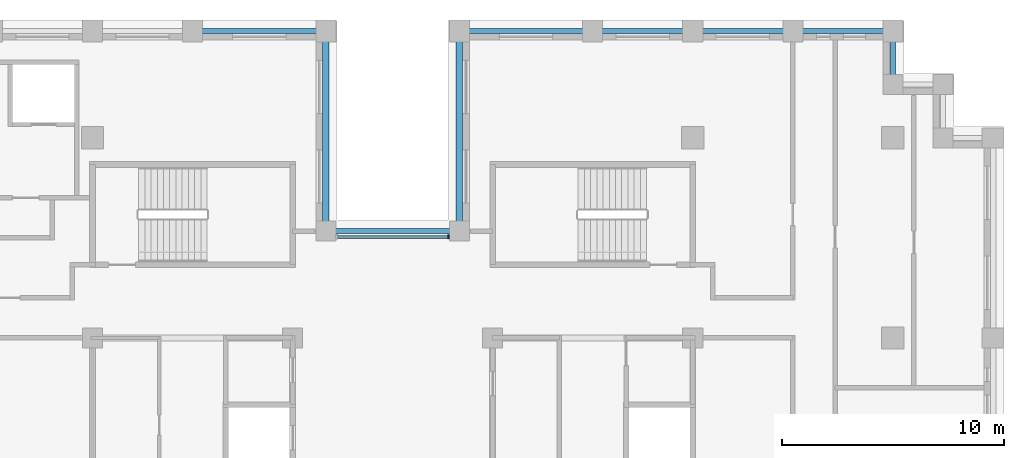
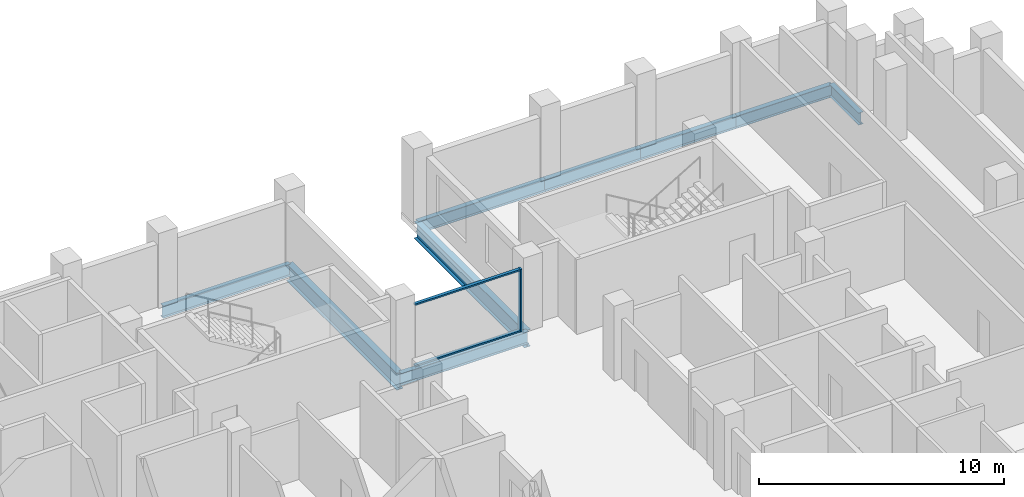
# One storey, part 4 of 15: 9 beams, 3 members, 1 element without a shape of its own.
"""IFC4 building model written with IfcOpenShell, lengths in metres."""

import ifcopenshell
import ifcopenshell.guid

model = None  # the IFC model being written
_history = None  # IfcOwnerHistory: only IFC2X3 demands one
_inside = {}  # id of a spatial element -> (the spatial element, [elements in it])
_under = {}  # id of a project, library or spatial element -> (it, [spatial elements below it])
_declared = {}  # id of a project -> (the project, [libraries it declares])
_typed = {}  # id of a type object -> (the type object, [elements of that type])
_made_of = {}  # id of a material, layer set ... -> (it, [elements and type objects made of it])


def new_model(schema):
    """Start an empty IFC model of exactly this schema.

    Asked for "IFC4X3", IfcOpenShell would pick the latest addendum, in which some entities
    have other attributes; the version numbers below select the first issue.
    IFC2X3 requires an IfcOwnerHistory on every rooted entity: one is made here for all.
    """
    global model, _history
    if schema == "IFC4X3":
        model = ifcopenshell.file(schema_version=(4, 3, 0, 0))
    else:
        model = ifcopenshell.file(schema=schema)
    _inside.clear()
    _under.clear()
    _declared.clear()
    _typed.clear()
    _made_of.clear()
    _history = None
    if model.schema == "IFC2X3":
        org = make("IfcOrganization", Name="unknown")
        user = make(
            "IfcPersonAndOrganization",
            ThePerson=make("IfcPerson", FamilyName="unknown"),
            TheOrganization=org,
        )
        app = make(
            "IfcApplication",
            ApplicationDeveloper=org,
            Version="unknown",
            ApplicationFullName="unknown",
            ApplicationIdentifier="unknown",
        )
        _history = make(
            "IfcOwnerHistory",
            OwningUser=user,
            OwningApplication=app,
            ChangeAction="ADDED",
            CreationDate=0,
        )
    return model


def make(cls, **values):
    """One entity of the class cls with the attributes given. An attribute that is None is left unset."""
    return model.create_entity(
        cls, **{name: value for name, value in values.items() if value is not None}
    )


def rooted(cls, **values):
    """An entity with a GlobalId (a new one), such as an element, a storey or a relation."""
    return make(cls, GlobalId=ifcopenshell.guid.new(), OwnerHistory=_history, **values)


def si_unit(unit_type, name, prefix=None):
    """IfcSIUnit, for example si_unit("LENGTHUNIT", "METRE", prefix="MILLI")."""
    return make("IfcSIUnit", UnitType=unit_type, Prefix=prefix, Name=name)


def assignment(units):
    """IfcUnitAssignment: the units of a project."""
    return None if units is None else make("IfcUnitAssignment", Units=units)


def point(xyz):
    """IfcCartesianPoint."""
    return None if xyz is None else make("IfcCartesianPoint", Coordinates=xyz)


def direction(xyz):
    """IfcDirection."""
    return None if xyz is None else make("IfcDirection", DirectionRatios=xyz)


def frame(location, z_axis=None, x_axis=None):
    """IfcAxis2Placement3D, a coordinate frame: its origin and axes. An axis left out is left unset."""
    return make(
        "IfcAxis2Placement3D",
        Location=point(location),
        Axis=direction(z_axis),
        RefDirection=direction(x_axis),
    )


def frame_2d(location, x_axis=None):
    """IfcAxis2Placement2D, a coordinate frame in the plane: its origin and x axis."""
    return make(
        "IfcAxis2Placement2D", Location=point(location), RefDirection=direction(x_axis)
    )


def origin():
    """The frame at (0, 0, 0) with its axes left unset."""
    return frame((0.0, 0.0, 0.0))


def origin_2d():
    """The frame at (0, 0) in the plane with its x axis left unset."""
    return frame_2d((0.0, 0.0))


def place(relative_to, where):
    """IfcLocalPlacement: puts the frame where relative to a parent placement (None: the world)."""
    return make(
        "IfcLocalPlacement", PlacementRelTo=relative_to, RelativePlacement=where
    )


def context(
    kind, dimensions, precision=None, world=None, true_north=None, identifier=None
):
    """IfcGeometricRepresentationContext, for example the 3D "Model" context."""
    return make(
        "IfcGeometricRepresentationContext",
        ContextIdentifier=identifier,
        ContextType=kind,
        CoordinateSpaceDimension=dimensions,
        Precision=precision,
        WorldCoordinateSystem=world,
        TrueNorth=true_north,
    )


def subcontext(parent, identifier, kind, view, scale=None):
    """IfcGeometricRepresentationSubContext, for example "Body" below "Model"."""
    return make(
        "IfcGeometricRepresentationSubContext",
        ContextIdentifier=identifier,
        ContextType=kind,
        ParentContext=parent,
        TargetScale=scale,
        TargetView=view,
    )


def project(units=None, contexts=None):
    """IfcProject with its units and contexts."""
    return rooted(
        "IfcProject",
        Name="project",
        RepresentationContexts=contexts,
        UnitsInContext=assignment(units),
    )


def spatial(cls, under=None, at=None, **own):
    """A site, building, storey or space (cls), placed at a placement, below another one or the project."""
    s = rooted(cls, ObjectPlacement=at, **own)
    if under is not None:
        _under.setdefault(under.id(), (under, []))[1].append(s)
    return s


def profile(cls, at=None, kind="AREA", **sizes):
    """A parametric profile (cls). Its sizes go by their IFC names, for example OverallWidth=200.0."""
    return make(cls, ProfileType=kind, Position=at, **sizes)


def rectangle(**sizes):
    """IfcRectangleProfileDef."""
    return profile("IfcRectangleProfileDef", **sizes)


def i_section(**sizes):
    """IfcIShapeProfileDef."""
    return profile("IfcIShapeProfileDef", **sizes)


def extrude(swept, where, along, depth):
    """IfcExtrudedAreaSolid: the profile swept, set in the frame where, extruded along a direction by depth."""
    return make(
        "IfcExtrudedAreaSolid",
        SweptArea=swept,
        Position=where,
        ExtrudedDirection=direction(along),
        Depth=depth,
    )


def shape(context_of_items, identifier, shape_type, items):
    """IfcShapeRepresentation: the items that make up one representation, for example the "Body"."""
    return make(
        "IfcShapeRepresentation",
        ContextOfItems=context_of_items,
        RepresentationIdentifier=identifier,
        RepresentationType=shape_type,
        Items=items,
    )


def material(Name=None, Category=None):
    """IfcMaterial."""
    return make("IfcMaterial", Name=Name, Category=Category)


def layer(
    of_material, thickness, ventilated=None, Name=None, Category=None, Priority=None
):
    """IfcMaterialLayer: one layer of a wall or slab, of a material (None: an air gap)."""
    return make(
        "IfcMaterialLayer",
        Material=of_material,
        LayerThickness=thickness,
        IsVentilated=ventilated,
        Name=Name,
        Category=Category,
        Priority=Priority,
    )


def layer_set(layers, Name=None):
    """IfcMaterialLayerSet."""
    return make("IfcMaterialLayerSet", MaterialLayers=layers, LayerSetName=Name)


def material_profile(
    of_material, cross_section, Name=None, Category=None, Priority=None
):
    """IfcMaterialProfile: a cross section and its material."""
    return make(
        "IfcMaterialProfile",
        Name=Name,
        Material=of_material,
        Profile=cross_section,
        Priority=Priority,
        Category=Category,
    )


def profile_set(profiles, Name=None, composite=None):
    """IfcMaterialProfileSet."""
    return make(
        "IfcMaterialProfileSet",
        Name=Name,
        MaterialProfiles=profiles,
        CompositeProfile=composite,
    )


def made_of(thing, what):
    """Note that an element or type object is made of a material, layer set ...; save() writes the relation."""
    if what is not None:
        _made_of.setdefault(what.id(), (what, []))[1].append(thing)
    return thing


def type_object(cls, material=None, **own):
    """A type object (cls), such as IfcWallType, which elements share."""
    return made_of(rooted(cls, **own), material)


def element(
    cls,
    number,
    at=None,
    inside=None,
    cuts=None,
    type_object=None,
    material=None,
    context=None,
    identifier="Body",
    shape_type=None,
    held_by="IfcProductDefinitionShape",
    body=None,
    shapes=None,
    **own,
):
    """One element of the class cls, such as IfcWall. Its Tag is "e" and its number.

    at: its placement. inside: the storey or other place that contains it. cuts: it is an
    opening in that element (IfcRelVoidsElement). A single representation is given by context,
    identifier, shape_type and body (its items); several are given by shapes. held_by: the class
    of the entity that holds the representations. save() writes the other relations.
    """
    e = rooted(cls, Tag="e%d" % number, ObjectPlacement=at, **own)
    if body is not None:
        shapes = [shape(context, identifier, shape_type, body)]
    if shapes is not None:
        e.Representation = make(held_by, Representations=shapes)
    if inside is not None:
        _inside.setdefault(inside.id(), (inside, []))[1].append(e)
    if cuts is not None:
        rooted(
            "IfcRelVoidsElement", RelatingBuildingElement=cuts, RelatedOpeningElement=e
        )
    if type_object is not None:
        _typed.setdefault(type_object.id(), (type_object, []))[1].append(e)
    return made_of(e, material)


def aggregate(whole, parts):
    """IfcRelAggregates: a whole, such as a stair, and the parts it consists of."""
    return rooted("IfcRelAggregates", RelatingObject=whole, RelatedObjects=parts)


def save(model, path):
    """Write the relations noted so far, then the file.

    IfcRelAggregates (storeys below a building ...), IfcRelContainedInSpatialStructure (elements
    in a storey), IfcRelDefinesByType, IfcRelAssociatesMaterial and IfcRelDeclares: one each for
    every whole, place, type object, material and project.
    """
    for whole, parts in _under.values():
        aggregate(whole, parts)
    for where, things in _inside.values():
        rooted(
            "IfcRelContainedInSpatialStructure",
            RelatedElements=things,
            RelatingStructure=where,
        )
    for kind, things in _typed.values():
        rooted("IfcRelDefinesByType", RelatedObjects=things, RelatingType=kind)
    for what, things in _made_of.values():
        rooted("IfcRelAssociatesMaterial", RelatedObjects=things, RelatingMaterial=what)
    for by, libraries in _declared.values():
        rooted("IfcRelDeclares", RelatingContext=by, RelatedDefinitions=libraries)
    model.write(path)


model = new_model("IFC4")

# Units and contexts
model_context = context("Model", 3, precision=1e-05, world=origin(), true_north=direction((0.0, 1.0)))
body_context = subcontext(model_context, "Body", "Model", "MODEL_VIEW")
ifc_project = project(units=[si_unit("LENGTHUNIT", "METRE"), si_unit("AREAUNIT", "SQUARE_METRE"), si_unit("VOLUMEUNIT", "CUBIC_METRE"), si_unit("PLANEANGLEUNIT", "RADIAN"), si_unit("MASSUNIT", "GRAM", prefix="KILO")], contexts=[model_context])

# Site, building, storey
site_placement = place(None, origin())
site = spatial("IfcSite", under=ifc_project, at=site_placement, CompositionType="ELEMENT")
building_placement = place(site_placement, origin())
building = spatial("IfcBuilding", under=site, at=building_placement, Name="Corbelhall Arena Tower", CompositionType="ELEMENT")
storey_placement = place(building_placement, frame((0.0, 0.0, 200.0)))
storey = spatial("IfcBuildingStorey", under=building, at=storey_placement, Name="L41", CompositionType="ELEMENT", Elevation=200.0)

# Curtain wall, members
ifc_material_1 = material(Name="Aluminium black anodised", Category="aluminium")
ifc_layer = layer(ifc_material_1, 0.199951171875)
ifc_layer_set = layer_set([ifc_layer], Name="EV-CW1 Slot back wall")
curtain_wall_type = type_object("IfcCurtainWallType", Name="EV-CW1 Slot back wall", PredefinedType="NOTDEFINED", material=ifc_layer_set)
curtain_wall_placement = place(storey_placement, origin())
curtain_wall = element("IfcCurtainWall", 1, at=curtain_wall_placement, inside=storey, type_object=curtain_wall_type, Name="Curtain wall CW1", PredefinedType="NOTDEFINED")
ifc_material_profile_1 = material_profile(ifc_material_1, rectangle(XDim=0.199951171875, YDim=0.074951171875, at=origin_2d()))
ifc_profile_set_1 = profile_set([ifc_material_profile_1], Name="Aluminium black anodised")
member_type_1 = type_object("IfcMemberType", Name="EV-CW1-MULLION", PredefinedType="MULLION", material=ifc_profile_set_1)
member_1_placement = place(storey_placement, frame((2.512451171875, 13.550048828125, 0.0), z_axis=(0.0, 0.0, 1.0), x_axis=(0.0, -1.0, 0.0)))
member_1 = element("IfcMember", 2, at=member_1_placement, type_object=member_type_1, Name="CW1 mullion 1", PredefinedType="MULLION", context=body_context, shape_type="SweptSolid", body=[
    extrude(rectangle(XDim=0.199951171875, YDim=0.074951171875, at=origin_2d()), origin(), (0.0, 0.0, 1.0), 3.1201171875),
])
ifc_material_profile_2 = material_profile(ifc_material_1, rectangle(XDim=0.14990234375, YDim=0.074951171875, at=origin_2d()))
ifc_profile_set_2 = profile_set([ifc_material_profile_2], Name="Aluminium black anodised")
member_type_2 = type_object("IfcMemberType", Name="EV-CW1-TRANSOM", PredefinedType="USERDEFINED", material=ifc_profile_set_2)
member_2_placement = place(storey_placement, frame((2.47509765625, 13.550048828125, 0.03759765625), z_axis=(-1.0, 0.0, 0.0), x_axis=(0.0, -1.0, 0.0)))
member_2 = element("IfcMember", 3, at=member_2_placement, type_object=member_type_2, Name="CW1 transom 1.1", ObjectType="transom", PredefinedType="USERDEFINED", context=body_context, shape_type="SweptSolid", body=[
    extrude(rectangle(XDim=0.14990234375, YDim=0.074951171875, at=origin_2d()), origin(), (0.0, 0.0, 1.0), 4.9501953125),
])
member_3_placement = place(storey_placement, frame((2.47509765625, 13.550048828125, 3.08251953125), z_axis=(-1.0, 0.0, 0.0), x_axis=(0.0, -1.0, 0.0)))
member_3 = element("IfcMember", 4, at=member_3_placement, type_object=member_type_2, Name="CW1 transom 1.2", ObjectType="transom", PredefinedType="USERDEFINED", context=body_context, shape_type="SweptSolid", body=[
    extrude(rectangle(XDim=0.14990234375, YDim=0.074951171875, at=origin_2d()), origin(), (0.0, 0.0, 1.0), 4.9501953125),
])
aggregate(curtain_wall, [member_1, member_2, member_3])

# Beams
ifc_material_2 = material(Name="Steel ASTM A992 Gr50", Category="steel")
ifc_material_profile_3 = material_profile(ifc_material_2, i_section(OverallWidth=0.228271484375, OverallDepth=0.607177734375, WebThickness=0.01123046875, FlangeThickness=0.017333984375, at=origin_2d()))
ifc_profile_set_3 = profile_set([ifc_material_profile_3], Name="Steel ASTM A992 Gr50")
beam_type_1 = type_object("IfcBeamType", Name="ST-SPANDREL-W24x76", PredefinedType="SPANDREL", material=ifc_profile_set_3)
beam_1_placement = place(storey_placement, frame((3.0, 22.800048828125, -0.58349609375), z_axis=(1.0, 0.0, 0.0), x_axis=(0.0, 1.0, 0.0)))
element("IfcBeam", 5, at=beam_1_placement, inside=storey, type_object=beam_type_1, Name="Beam SP 13", PredefinedType="SPANDREL", context=body_context, shape_type="SweptSolid", body=[
    extrude(i_section(OverallWidth=0.228271484375, OverallDepth=0.607177734375, WebThickness=0.01123046875, FlangeThickness=0.017333984375, at=origin_2d()), origin(), (0.0, 0.0, 1.0), 6.0),
])
for number, where, z_axis, x_axis, name in (
    (6, (9.0, 22.800048828125, -0.58349609375), (1.0, 0.0, 0.0), (0.0, 1.0, 0.0), "Beam SP 14"),
    (7, (13.5, 22.800048828125, -0.58349609375), (1.0, 0.0, 0.0), (0.0, 1.0, 0.0), "Beam SP 15"),
    (8, (18.0, 22.800048828125, -0.58349609375), (1.0, 0.0, 0.0), (0.0, 1.0, 0.0), "Beam SP 16"),
):
    element("IfcBeam", number, at=place(storey_placement, frame(where, z_axis=z_axis, x_axis=x_axis)), inside=storey, type_object=beam_type_1, Name=name, PredefinedType="SPANDREL", context=body_context, shape_type="SweptSolid", body=[
        extrude(i_section(OverallWidth=0.228271484375, OverallDepth=0.607177734375, WebThickness=0.01123046875, FlangeThickness=0.017333984375, at=origin_2d()), origin(), (0.0, 0.0, 1.0), 4.5),
    ])
beam_2_placement = place(storey_placement, frame((22.5, 22.800048828125, -0.58349609375), z_axis=(0.0, -1.0, 0.0), x_axis=(1.0, 0.0, 0.0)))
element("IfcBeam", 9, at=beam_2_placement, inside=storey, type_object=beam_type_1, Name="Beam SP 17", PredefinedType="SPANDREL", context=body_context, shape_type="SweptSolid", body=[
    extrude(i_section(OverallWidth=0.228271484375, OverallDepth=0.607177734375, WebThickness=0.01123046875, FlangeThickness=0.017333984375, at=origin_2d()), origin(), (0.0, 0.0, 1.0), 2.400146484375),
])
for number, where, z_axis, x_axis, name in (
    (10, (-9.0, 22.800048828125, -0.58349609375), (1.0, 0.0, 0.0), (0.0, 1.0, 0.0), "Beam SP 19"),
    (11, (-3.0, 13.800048828125, -0.58349609375), (1.0, 0.0, 0.0), (0.0, 1.0, 0.0), "Beam SP 36"),
):
    element("IfcBeam", number, at=place(storey_placement, frame(where, z_axis=z_axis, x_axis=x_axis)), inside=storey, type_object=beam_type_1, Name=name, PredefinedType="SPANDREL", context=body_context, shape_type="SweptSolid", body=[
        extrude(i_section(OverallWidth=0.228271484375, OverallDepth=0.607177734375, WebThickness=0.01123046875, FlangeThickness=0.017333984375, at=origin_2d()), origin(), (0.0, 0.0, 1.0), 6.0),
    ])
ifc_material_profile_4 = material_profile(ifc_material_2, i_section(OverallWidth=0.2919921875, OverallDepth=0.845703125, WebThickness=0.015380859375, FlangeThickness=0.0244140625, at=origin_2d()))
ifc_profile_set_4 = profile_set([ifc_material_profile_4], Name="Steel ASTM A992 Gr50")
beam_type_2 = type_object("IfcBeamType", Name="ST-SPANDREL-W33x141", PredefinedType="SPANDREL", material=ifc_profile_set_4)
for number, where, z_axis, x_axis, name in (
    (12, (-3.0, 22.800048828125, -0.702880859375), (0.0, -1.0, 0.0), (1.0, 0.0, 0.0), "Beam SP 18"),
    (13, (3.0, 13.800048828125, -0.702880859375), (0.0, 1.0, 0.0), (-1.0, 0.0, 0.0), "Beam SP 35"),
):
    element("IfcBeam", number, at=place(storey_placement, frame(where, z_axis=z_axis, x_axis=x_axis)), inside=storey, type_object=beam_type_2, Name=name, PredefinedType="SPANDREL", context=body_context, shape_type="SweptSolid", body=[
        extrude(i_section(OverallWidth=0.2919921875, OverallDepth=0.845703125, WebThickness=0.015380859375, FlangeThickness=0.0244140625, at=origin_2d()), origin(), (0.0, 0.0, 1.0), 9.0),
    ])

save(model, "model.ifc")
